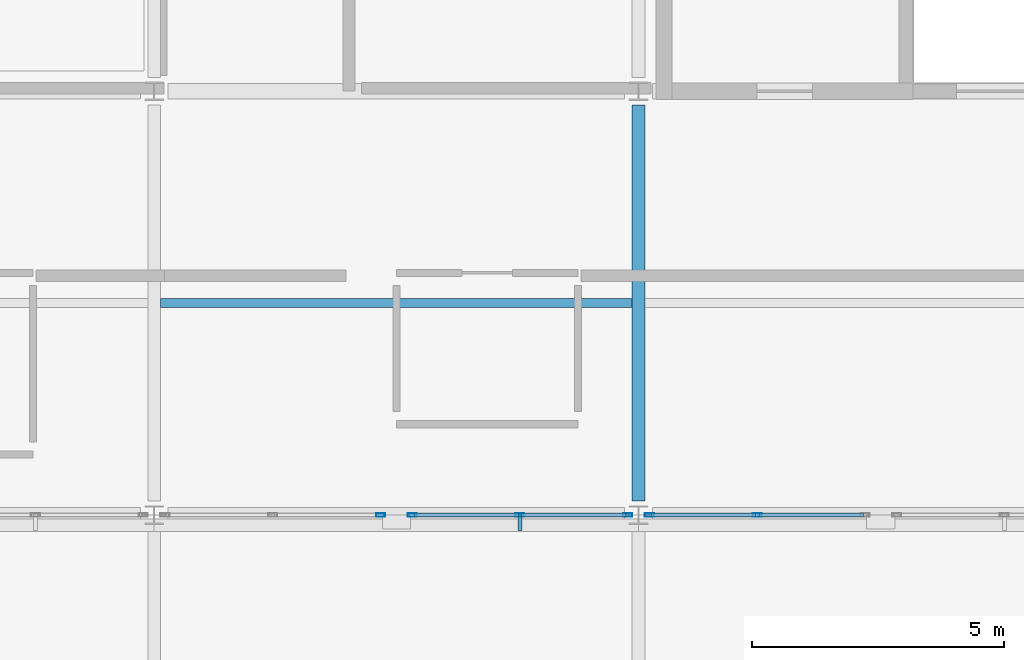
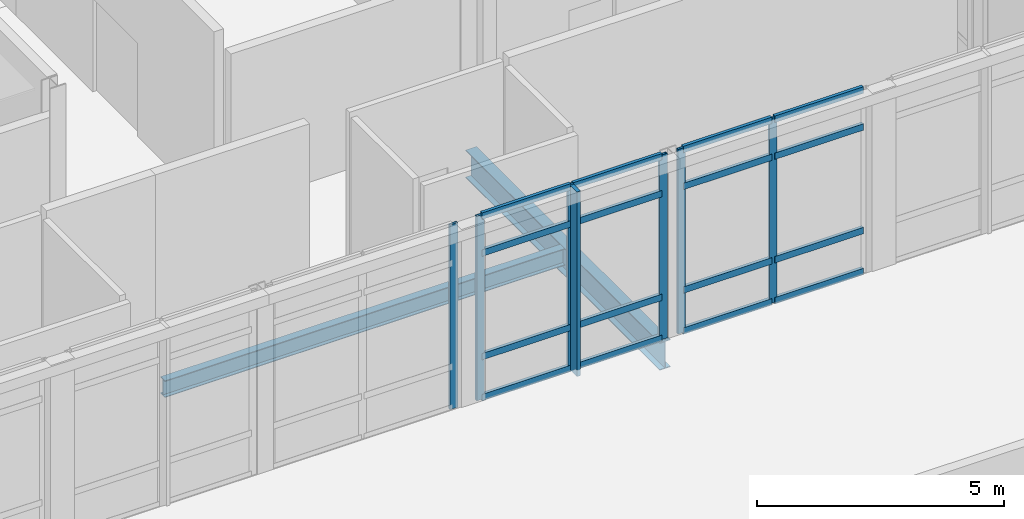
# One storey, part 21 of 52: 23 members, 2 beams, 3 elements without a shape of their own.
"""IFC4 building model written with IfcOpenShell, lengths in metres."""

import ifcopenshell
import ifcopenshell.guid

model = None  # the IFC model being written
_history = None  # IfcOwnerHistory: only IFC2X3 demands one
_inside = {}  # id of a spatial element -> (the spatial element, [elements in it])
_under = {}  # id of a project, library or spatial element -> (it, [spatial elements below it])
_declared = {}  # id of a project -> (the project, [libraries it declares])
_typed = {}  # id of a type object -> (the type object, [elements of that type])
_made_of = {}  # id of a material, layer set ... -> (it, [elements and type objects made of it])


def new_model(schema):
    """Start an empty IFC model of exactly this schema.

    Asked for "IFC4X3", IfcOpenShell would pick the latest addendum, in which some entities
    have other attributes; the version numbers below select the first issue.
    IFC2X3 requires an IfcOwnerHistory on every rooted entity: one is made here for all.
    """
    global model, _history
    if schema == "IFC4X3":
        model = ifcopenshell.file(schema_version=(4, 3, 0, 0))
    else:
        model = ifcopenshell.file(schema=schema)
    _inside.clear()
    _under.clear()
    _declared.clear()
    _typed.clear()
    _made_of.clear()
    _history = None
    if model.schema == "IFC2X3":
        org = make("IfcOrganization", Name="unknown")
        user = make(
            "IfcPersonAndOrganization",
            ThePerson=make("IfcPerson", FamilyName="unknown"),
            TheOrganization=org,
        )
        app = make(
            "IfcApplication",
            ApplicationDeveloper=org,
            Version="unknown",
            ApplicationFullName="unknown",
            ApplicationIdentifier="unknown",
        )
        _history = make(
            "IfcOwnerHistory",
            OwningUser=user,
            OwningApplication=app,
            ChangeAction="ADDED",
            CreationDate=0,
        )
    return model


def make(cls, **values):
    """One entity of the class cls with the attributes given. An attribute that is None is left unset."""
    return model.create_entity(
        cls, **{name: value for name, value in values.items() if value is not None}
    )


def rooted(cls, **values):
    """An entity with a GlobalId (a new one), such as an element, a storey or a relation."""
    return make(cls, GlobalId=ifcopenshell.guid.new(), OwnerHistory=_history, **values)


def si_unit(unit_type, name, prefix=None):
    """IfcSIUnit, for example si_unit("LENGTHUNIT", "METRE", prefix="MILLI")."""
    return make("IfcSIUnit", UnitType=unit_type, Prefix=prefix, Name=name)


def assignment(units):
    """IfcUnitAssignment: the units of a project."""
    return None if units is None else make("IfcUnitAssignment", Units=units)


def point(xyz):
    """IfcCartesianPoint."""
    return None if xyz is None else make("IfcCartesianPoint", Coordinates=xyz)


def direction(xyz):
    """IfcDirection."""
    return None if xyz is None else make("IfcDirection", DirectionRatios=xyz)


def frame(location, z_axis=None, x_axis=None):
    """IfcAxis2Placement3D, a coordinate frame: its origin and axes. An axis left out is left unset."""
    return make(
        "IfcAxis2Placement3D",
        Location=point(location),
        Axis=direction(z_axis),
        RefDirection=direction(x_axis),
    )


def frame_2d(location, x_axis=None):
    """IfcAxis2Placement2D, a coordinate frame in the plane: its origin and x axis."""
    return make(
        "IfcAxis2Placement2D", Location=point(location), RefDirection=direction(x_axis)
    )


def origin():
    """The frame at (0, 0, 0) with its axes left unset."""
    return frame((0.0, 0.0, 0.0))


def origin_2d():
    """The frame at (0, 0) in the plane with its x axis left unset."""
    return frame_2d((0.0, 0.0))


def place(relative_to, where):
    """IfcLocalPlacement: puts the frame where relative to a parent placement (None: the world)."""
    return make(
        "IfcLocalPlacement", PlacementRelTo=relative_to, RelativePlacement=where
    )


def context(
    kind, dimensions, precision=None, world=None, true_north=None, identifier=None
):
    """IfcGeometricRepresentationContext, for example the 3D "Model" context."""
    return make(
        "IfcGeometricRepresentationContext",
        ContextIdentifier=identifier,
        ContextType=kind,
        CoordinateSpaceDimension=dimensions,
        Precision=precision,
        WorldCoordinateSystem=world,
        TrueNorth=true_north,
    )


def subcontext(parent, identifier, kind, view, scale=None):
    """IfcGeometricRepresentationSubContext, for example "Body" below "Model"."""
    return make(
        "IfcGeometricRepresentationSubContext",
        ContextIdentifier=identifier,
        ContextType=kind,
        ParentContext=parent,
        TargetScale=scale,
        TargetView=view,
    )


def project(units=None, contexts=None):
    """IfcProject with its units and contexts."""
    return rooted(
        "IfcProject",
        Name="project",
        RepresentationContexts=contexts,
        UnitsInContext=assignment(units),
    )


def spatial(cls, under=None, at=None, **own):
    """A site, building, storey or space (cls), placed at a placement, below another one or the project."""
    s = rooted(cls, ObjectPlacement=at, **own)
    if under is not None:
        _under.setdefault(under.id(), (under, []))[1].append(s)
    return s


def profile(cls, at=None, kind="AREA", **sizes):
    """A parametric profile (cls). Its sizes go by their IFC names, for example OverallWidth=200.0."""
    return make(cls, ProfileType=kind, Position=at, **sizes)


def rectangle(**sizes):
    """IfcRectangleProfileDef."""
    return profile("IfcRectangleProfileDef", **sizes)


def hollow_rectangle(**sizes):
    """IfcRectangleHollowProfileDef."""
    return profile("IfcRectangleHollowProfileDef", **sizes)


def i_section(**sizes):
    """IfcIShapeProfileDef."""
    return profile("IfcIShapeProfileDef", **sizes)


def extrude(swept, where, along, depth):
    """IfcExtrudedAreaSolid: the profile swept, set in the frame where, extruded along a direction by depth."""
    return make(
        "IfcExtrudedAreaSolid",
        SweptArea=swept,
        Position=where,
        ExtrudedDirection=direction(along),
        Depth=depth,
    )


def shape(context_of_items, identifier, shape_type, items):
    """IfcShapeRepresentation: the items that make up one representation, for example the "Body"."""
    return make(
        "IfcShapeRepresentation",
        ContextOfItems=context_of_items,
        RepresentationIdentifier=identifier,
        RepresentationType=shape_type,
        Items=items,
    )


def material(Name=None, Category=None):
    """IfcMaterial."""
    return make("IfcMaterial", Name=Name, Category=Category)


def layer(
    of_material, thickness, ventilated=None, Name=None, Category=None, Priority=None
):
    """IfcMaterialLayer: one layer of a wall or slab, of a material (None: an air gap)."""
    return make(
        "IfcMaterialLayer",
        Material=of_material,
        LayerThickness=thickness,
        IsVentilated=ventilated,
        Name=Name,
        Category=Category,
        Priority=Priority,
    )


def layer_set(layers, Name=None):
    """IfcMaterialLayerSet."""
    return make("IfcMaterialLayerSet", MaterialLayers=layers, LayerSetName=Name)


def material_profile(
    of_material, cross_section, Name=None, Category=None, Priority=None
):
    """IfcMaterialProfile: a cross section and its material."""
    return make(
        "IfcMaterialProfile",
        Name=Name,
        Material=of_material,
        Profile=cross_section,
        Priority=Priority,
        Category=Category,
    )


def profile_set(profiles, Name=None, composite=None):
    """IfcMaterialProfileSet."""
    return make(
        "IfcMaterialProfileSet",
        Name=Name,
        MaterialProfiles=profiles,
        CompositeProfile=composite,
    )


def made_of(thing, what):
    """Note that an element or type object is made of a material, layer set ...; save() writes the relation."""
    if what is not None:
        _made_of.setdefault(what.id(), (what, []))[1].append(thing)
    return thing


def type_object(cls, material=None, **own):
    """A type object (cls), such as IfcWallType, which elements share."""
    return made_of(rooted(cls, **own), material)


def element(
    cls,
    number,
    at=None,
    inside=None,
    cuts=None,
    type_object=None,
    material=None,
    context=None,
    identifier="Body",
    shape_type=None,
    held_by="IfcProductDefinitionShape",
    body=None,
    shapes=None,
    **own,
):
    """One element of the class cls, such as IfcWall. Its Tag is "e" and its number.

    at: its placement. inside: the storey or other place that contains it. cuts: it is an
    opening in that element (IfcRelVoidsElement). A single representation is given by context,
    identifier, shape_type and body (its items); several are given by shapes. held_by: the class
    of the entity that holds the representations. save() writes the other relations.
    """
    e = rooted(cls, Tag="e%d" % number, ObjectPlacement=at, **own)
    if body is not None:
        shapes = [shape(context, identifier, shape_type, body)]
    if shapes is not None:
        e.Representation = make(held_by, Representations=shapes)
    if inside is not None:
        _inside.setdefault(inside.id(), (inside, []))[1].append(e)
    if cuts is not None:
        rooted(
            "IfcRelVoidsElement", RelatingBuildingElement=cuts, RelatedOpeningElement=e
        )
    if type_object is not None:
        _typed.setdefault(type_object.id(), (type_object, []))[1].append(e)
    return made_of(e, material)


def aggregate(whole, parts):
    """IfcRelAggregates: a whole, such as a stair, and the parts it consists of."""
    return rooted("IfcRelAggregates", RelatingObject=whole, RelatedObjects=parts)


def save(model, path):
    """Write the relations noted so far, then the file.

    IfcRelAggregates (storeys below a building ...), IfcRelContainedInSpatialStructure (elements
    in a storey), IfcRelDefinesByType, IfcRelAssociatesMaterial and IfcRelDeclares: one each for
    every whole, place, type object, material and project.
    """
    for whole, parts in _under.values():
        aggregate(whole, parts)
    for where, things in _inside.values():
        rooted(
            "IfcRelContainedInSpatialStructure",
            RelatedElements=things,
            RelatingStructure=where,
        )
    for kind, things in _typed.values():
        rooted("IfcRelDefinesByType", RelatedObjects=things, RelatingType=kind)
    for what, things in _made_of.values():
        rooted("IfcRelAssociatesMaterial", RelatedObjects=things, RelatingMaterial=what)
    for by, libraries in _declared.values():
        rooted("IfcRelDeclares", RelatingContext=by, RelatedDefinitions=libraries)
    model.write(path)


model = new_model("IFC4")

# Units and contexts
model_context = context("Model", 3, precision=1e-05, world=origin(), true_north=direction((0.0, 1.0)))
body_context = subcontext(model_context, "Body", "Model", "MODEL_VIEW")
ifc_project = project(units=[si_unit("LENGTHUNIT", "METRE"), si_unit("AREAUNIT", "SQUARE_METRE"), si_unit("VOLUMEUNIT", "CUBIC_METRE"), si_unit("PLANEANGLEUNIT", "RADIAN"), si_unit("MASSUNIT", "GRAM", prefix="KILO")], contexts=[model_context])

# Site, building, storey
site_placement = place(None, origin())
site = spatial("IfcSite", under=ifc_project, at=site_placement, CompositionType="ELEMENT")
building_placement = place(site_placement, origin())
building = spatial("IfcBuilding", under=site, at=building_placement, Name="Lornevale Opera House", CompositionType="ELEMENT")
storey_placement = place(building_placement, frame((0.0, 0.0, 15.0)))
storey = spatial("IfcBuildingStorey", under=building, at=storey_placement, Name="L04", CompositionType="ELEMENT", Elevation=15.0)

# Curtain wall, members
ifc_material_1 = material(Name="Anodized Oxide-Green Aluminium Framing", Category="aluminium")
ifc_layer = layer(ifc_material_1, 0.18505859375)
ifc_layer_set = layer_set([ifc_layer], Name="Anodized Oxide-Green Aluminium Framing")
curtain_wall_type = type_object("IfcCurtainWallType", Name="Conservatory Curtain Wall M2100", PredefinedType="NOTDEFINED", material=ifc_layer_set)
curtain_wall_1_placement = place(storey_placement, origin())
curtain_wall_1 = element("IfcCurtainWall", 1, at=curtain_wall_1_placement, inside=storey, type_object=curtain_wall_type, Name="Conservatory Curtain Wall M2100 CW-157", PredefinedType="NOTDEFINED")
ifc_material_profile_1 = material_profile(ifc_material_1, hollow_rectangle(XDim=0.06494140625, YDim=0.179931640625, WallThickness=0.0048828125, at=origin_2d()), Name="ALU65x180x5")
ifc_profile_set_1 = profile_set([ifc_material_profile_1], Name="Anodized Oxide-Green Aluminium Framing")
member_type_1 = type_object("IfcMemberType", Name="Curtain Wall Mullion 65x180", PredefinedType="MULLION", material=ifc_profile_set_1)
member_1_placement = place(storey_placement, frame((134.18505859375, 25.199951171875, 0.0), z_axis=(0.0, 0.0, 1.0), x_axis=(0.0, -1.0, 0.0)))
member_1 = element("IfcMember", 2, at=member_1_placement, type_object=member_type_1, Name="Curtain Wall Mullion 65x180 CW3221", PredefinedType="MULLION", context=body_context, shape_type="SweptSolid", body=[
    extrude(hollow_rectangle(XDim=0.06494140625, YDim=0.179931640625, WallThickness=0.0048828125, at=origin_2d()), origin(), (0.0, 0.0, 1.0), 4.56005859375),
])
member_2_placement = place(storey_placement, frame((132.048583984375, 25.199951171875, 0.0), z_axis=(0.0, 0.0, 1.0), x_axis=(0.0, -1.0, 0.0)))
member_2 = element("IfcMember", 3, at=member_2_placement, type_object=member_type_1, Name="Curtain Wall Mullion 65x180 CW3222", PredefinedType="MULLION", context=body_context, shape_type="SweptSolid", body=[
    extrude(hollow_rectangle(XDim=0.06494140625, YDim=0.179931640625, WallThickness=0.0048828125, at=origin_2d()), origin(), (0.0, 0.0, 1.0), 4.56005859375),
])
member_3_placement = place(storey_placement, frame((129.91259765625, 25.199951171875, 0.0), z_axis=(0.0, 0.0, 1.0), x_axis=(0.0, -1.0, 0.0)))
member_3 = element("IfcMember", 4, at=member_3_placement, type_object=member_type_1, Name="Curtain Wall Mullion 65x180 CW3223", PredefinedType="MULLION", context=body_context, shape_type="SweptSolid", body=[
    extrude(hollow_rectangle(XDim=0.06494140625, YDim=0.179931640625, WallThickness=0.0048828125, at=origin_2d()), origin(), (0.0, 0.0, 1.0), 4.56005859375),
])

# Curtain wall, member
curtain_wall_2_placement = place(storey_placement, origin())
curtain_wall_2 = element("IfcCurtainWall", 5, at=curtain_wall_2_placement, inside=storey, type_object=curtain_wall_type, Name="Conservatory Curtain Wall M2100 CW-158", PredefinedType="NOTDEFINED")
member_4_placement = place(storey_placement, frame((129.28759765625, 25.199951171875, 0.0), z_axis=(0.0, 0.0, 1.0), x_axis=(0.0, -1.0, 0.0)))
member_4 = element("IfcMember", 6, at=member_4_placement, type_object=member_type_1, Name="Curtain Wall Mullion 65x180 CW3238", PredefinedType="MULLION", context=body_context, shape_type="SweptSolid", body=[
    extrude(hollow_rectangle(XDim=0.06494140625, YDim=0.179931640625, WallThickness=0.0048828125, at=origin_2d()), origin(), (0.0, 0.0, 1.0), 4.56005859375),
])
aggregate(curtain_wall_2, [member_4])

# Curtain wall, members
curtain_wall_3_placement = place(storey_placement, origin())
curtain_wall_3 = element("IfcCurtainWall", 7, at=curtain_wall_3_placement, inside=storey, type_object=curtain_wall_type, Name="Conservatory Curtain Wall M2100 CW-162", PredefinedType="NOTDEFINED")
member_5_placement = place(storey_placement, frame((136.751220703125, 25.199951171875, 0.0), z_axis=(0.0, 0.0, 1.0), x_axis=(0.0, -1.0, 0.0)))
member_5 = element("IfcMember", 8, at=member_5_placement, type_object=member_type_1, Name="Curtain Wall Mullion 65x180 CW3307", PredefinedType="MULLION", context=body_context, shape_type="SweptSolid", body=[
    extrude(hollow_rectangle(XDim=0.06494140625, YDim=0.179931640625, WallThickness=0.0048828125, at=origin_2d()), origin(), (0.0, 0.0, 1.0), 4.56005859375),
])
member_6_placement = place(storey_placement, frame((134.614990234375, 25.199951171875, 0.0), z_axis=(0.0, 0.0, 1.0), x_axis=(0.0, -1.0, 0.0)))
member_6 = element("IfcMember", 9, at=member_6_placement, type_object=member_type_1, Name="Curtain Wall Mullion 65x180 CW3308", PredefinedType="MULLION", context=body_context, shape_type="SweptSolid", body=[
    extrude(hollow_rectangle(XDim=0.06494140625, YDim=0.179931640625, WallThickness=0.0048828125, at=origin_2d()), origin(), (0.0, 0.0, 1.0), 4.56005859375),
])

# Member
ifc_material_profile_2 = material_profile(ifc_material_1, hollow_rectangle(XDim=0.074951171875, YDim=0.159912109375, WallThickness=0.0048828125, at=origin_2d()), Name="ALU75x160x5")
ifc_profile_set_2 = profile_set([ifc_material_profile_2], Name="Anodized Oxide-Green Aluminium Framing")
member_type_2 = type_object("IfcMemberType", Name="Curtain Wall Transom 75x160", PredefinedType="USERDEFINED", material=ifc_profile_set_2)
member_7_placement = place(storey_placement, frame((134.152587890625, 25.199951171875, 0.03759765625), z_axis=(-1.0, 0.0, 0.0), x_axis=(0.0, -1.0, 0.0)))
member_7 = element("IfcMember", 10, at=member_7_placement, type_object=member_type_2, Name="Curtain Wall Transom 75x160 CW3224", ObjectType="TRANSOM", PredefinedType="USERDEFINED", context=body_context, shape_type="SweptSolid", body=[
    extrude(hollow_rectangle(XDim=0.074951171875, YDim=0.159912109375, WallThickness=0.0048828125, at=origin_2d()), origin(), (0.0, 0.0, 1.0), 2.0712890625),
])

member_8_placement = place(storey_placement, frame((134.152587890625, 25.199951171875, 1.050048828125), z_axis=(-1.0, 0.0, 0.0), x_axis=(0.0, -1.0, 0.0)))
member_8 = element("IfcMember", 11, at=member_8_placement, type_object=member_type_2, Name="Curtain Wall Transom 75x160 CW3225", ObjectType="TRANSOM", PredefinedType="USERDEFINED", context=body_context, shape_type="SweptSolid", body=[
    extrude(hollow_rectangle(XDim=0.074951171875, YDim=0.159912109375, WallThickness=0.0048828125, at=origin_2d()), origin(), (0.0, 0.0, 1.0), 2.0712890625),
])

member_9_placement = place(storey_placement, frame((134.152587890625, 25.199951171875, 3.610107421875), z_axis=(-1.0, 0.0, 0.0), x_axis=(0.0, -1.0, 0.0)))
member_9 = element("IfcMember", 12, at=member_9_placement, type_object=member_type_2, Name="Curtain Wall Transom 75x160 CW3226", ObjectType="TRANSOM", PredefinedType="USERDEFINED", context=body_context, shape_type="SweptSolid", body=[
    extrude(hollow_rectangle(XDim=0.074951171875, YDim=0.159912109375, WallThickness=0.0048828125, at=origin_2d()), origin(), (0.0, 0.0, 1.0), 2.0712890625),
])

member_10_placement = place(storey_placement, frame((134.152587890625, 25.199951171875, 4.5224609375), z_axis=(-1.0, 0.0, 0.0), x_axis=(0.0, -1.0, 0.0)))
member_10 = element("IfcMember", 13, at=member_10_placement, type_object=member_type_2, Name="Curtain Wall Transom 75x160 CW3227", ObjectType="TRANSOM", PredefinedType="USERDEFINED", context=body_context, shape_type="SweptSolid", body=[
    extrude(hollow_rectangle(XDim=0.074951171875, YDim=0.159912109375, WallThickness=0.0048828125, at=origin_2d()), origin(), (0.0, 0.0, 1.0), 2.0712890625),
])

member_11_placement = place(storey_placement, frame((132.01611328125, 25.199951171875, 0.03759765625), z_axis=(-1.0, 0.0, 0.0), x_axis=(0.0, -1.0, 0.0)))
member_11 = element("IfcMember", 14, at=member_11_placement, type_object=member_type_2, Name="Curtain Wall Transom 75x160 CW3231", ObjectType="TRANSOM", PredefinedType="USERDEFINED", context=body_context, shape_type="SweptSolid", body=[
    extrude(hollow_rectangle(XDim=0.074951171875, YDim=0.159912109375, WallThickness=0.0048828125, at=origin_2d()), origin(), (0.0, 0.0, 1.0), 2.071044921875),
])

member_12_placement = place(storey_placement, frame((132.01611328125, 25.199951171875, 1.050048828125), z_axis=(-1.0, 0.0, 0.0), x_axis=(0.0, -1.0, 0.0)))
member_12 = element("IfcMember", 15, at=member_12_placement, type_object=member_type_2, Name="Curtain Wall Transom 75x160 CW3232", ObjectType="TRANSOM", PredefinedType="USERDEFINED", context=body_context, shape_type="SweptSolid", body=[
    extrude(hollow_rectangle(XDim=0.074951171875, YDim=0.159912109375, WallThickness=0.0048828125, at=origin_2d()), origin(), (0.0, 0.0, 1.0), 2.071044921875),
])

member_13_placement = place(storey_placement, frame((132.01611328125, 25.199951171875, 3.610107421875), z_axis=(-1.0, 0.0, 0.0), x_axis=(0.0, -1.0, 0.0)))
member_13 = element("IfcMember", 16, at=member_13_placement, type_object=member_type_2, Name="Curtain Wall Transom 75x160 CW3233", ObjectType="TRANSOM", PredefinedType="USERDEFINED", context=body_context, shape_type="SweptSolid", body=[
    extrude(hollow_rectangle(XDim=0.074951171875, YDim=0.159912109375, WallThickness=0.0048828125, at=origin_2d()), origin(), (0.0, 0.0, 1.0), 2.071044921875),
])

member_14_placement = place(storey_placement, frame((132.01611328125, 25.199951171875, 4.5224609375), z_axis=(-1.0, 0.0, 0.0), x_axis=(0.0, -1.0, 0.0)))
member_14 = element("IfcMember", 17, at=member_14_placement, type_object=member_type_2, Name="Curtain Wall Transom 75x160 CW3234", ObjectType="TRANSOM", PredefinedType="USERDEFINED", context=body_context, shape_type="SweptSolid", body=[
    extrude(hollow_rectangle(XDim=0.074951171875, YDim=0.159912109375, WallThickness=0.0048828125, at=origin_2d()), origin(), (0.0, 0.0, 1.0), 2.071044921875),
])

member_15_placement = place(storey_placement, frame((138.85498046875, 25.199951171875, 0.03759765625), z_axis=(-1.0, 0.0, 0.0), x_axis=(0.0, -1.0, 0.0)))
member_15 = element("IfcMember", 18, at=member_15_placement, type_object=member_type_2, Name="Curtain Wall Transom 75x160 CW3309", ObjectType="TRANSOM", PredefinedType="USERDEFINED", context=body_context, shape_type="SweptSolid", body=[
    extrude(hollow_rectangle(XDim=0.074951171875, YDim=0.159912109375, WallThickness=0.0048828125, at=origin_2d()), origin(), (0.0, 0.0, 1.0), 2.0712890625),
])

member_16_placement = place(storey_placement, frame((138.85498046875, 25.199951171875, 1.050048828125), z_axis=(-1.0, 0.0, 0.0), x_axis=(0.0, -1.0, 0.0)))
member_16 = element("IfcMember", 19, at=member_16_placement, type_object=member_type_2, Name="Curtain Wall Transom 75x160 CW3310", ObjectType="TRANSOM", PredefinedType="USERDEFINED", context=body_context, shape_type="SweptSolid", body=[
    extrude(hollow_rectangle(XDim=0.074951171875, YDim=0.159912109375, WallThickness=0.0048828125, at=origin_2d()), origin(), (0.0, 0.0, 1.0), 2.0712890625),
])

member_17_placement = place(storey_placement, frame((138.85498046875, 25.199951171875, 3.610107421875), z_axis=(-1.0, 0.0, 0.0), x_axis=(0.0, -1.0, 0.0)))
member_17 = element("IfcMember", 20, at=member_17_placement, type_object=member_type_2, Name="Curtain Wall Transom 75x160 CW3311", ObjectType="TRANSOM", PredefinedType="USERDEFINED", context=body_context, shape_type="SweptSolid", body=[
    extrude(hollow_rectangle(XDim=0.074951171875, YDim=0.159912109375, WallThickness=0.0048828125, at=origin_2d()), origin(), (0.0, 0.0, 1.0), 2.0712890625),
])

member_18_placement = place(storey_placement, frame((138.85498046875, 25.199951171875, 4.5224609375), z_axis=(-1.0, 0.0, 0.0), x_axis=(0.0, -1.0, 0.0)))
member_18 = element("IfcMember", 21, at=member_18_placement, type_object=member_type_2, Name="Curtain Wall Transom 75x160 CW3312", ObjectType="TRANSOM", PredefinedType="USERDEFINED", context=body_context, shape_type="SweptSolid", body=[
    extrude(hollow_rectangle(XDim=0.074951171875, YDim=0.159912109375, WallThickness=0.0048828125, at=origin_2d()), origin(), (0.0, 0.0, 1.0), 2.0712890625),
])

member_19_placement = place(storey_placement, frame((136.71875, 25.199951171875, 0.03759765625), z_axis=(-1.0, 0.0, 0.0), x_axis=(0.0, -1.0, 0.0)))
member_19 = element("IfcMember", 22, at=member_19_placement, type_object=member_type_2, Name="Curtain Wall Transom 75x160 CW3316", ObjectType="TRANSOM", PredefinedType="USERDEFINED", context=body_context, shape_type="SweptSolid", body=[
    extrude(hollow_rectangle(XDim=0.074951171875, YDim=0.159912109375, WallThickness=0.0048828125, at=origin_2d()), origin(), (0.0, 0.0, 1.0), 2.0712890625),
])

member_20_placement = place(storey_placement, frame((136.71875, 25.199951171875, 1.050048828125), z_axis=(-1.0, 0.0, 0.0), x_axis=(0.0, -1.0, 0.0)))
member_20 = element("IfcMember", 23, at=member_20_placement, type_object=member_type_2, Name="Curtain Wall Transom 75x160 CW3317", ObjectType="TRANSOM", PredefinedType="USERDEFINED", context=body_context, shape_type="SweptSolid", body=[
    extrude(hollow_rectangle(XDim=0.074951171875, YDim=0.159912109375, WallThickness=0.0048828125, at=origin_2d()), origin(), (0.0, 0.0, 1.0), 2.0712890625),
])

member_21_placement = place(storey_placement, frame((136.71875, 25.199951171875, 3.610107421875), z_axis=(-1.0, 0.0, 0.0), x_axis=(0.0, -1.0, 0.0)))
member_21 = element("IfcMember", 24, at=member_21_placement, type_object=member_type_2, Name="Curtain Wall Transom 75x160 CW3318", ObjectType="TRANSOM", PredefinedType="USERDEFINED", context=body_context, shape_type="SweptSolid", body=[
    extrude(hollow_rectangle(XDim=0.074951171875, YDim=0.159912109375, WallThickness=0.0048828125, at=origin_2d()), origin(), (0.0, 0.0, 1.0), 2.0712890625),
])

member_22_placement = place(storey_placement, frame((136.71875, 25.199951171875, 4.5224609375), z_axis=(-1.0, 0.0, 0.0), x_axis=(0.0, -1.0, 0.0)))
member_22 = element("IfcMember", 25, at=member_22_placement, type_object=member_type_2, Name="Curtain Wall Transom 75x160 CW3319", ObjectType="TRANSOM", PredefinedType="USERDEFINED", context=body_context, shape_type="SweptSolid", body=[
    extrude(hollow_rectangle(XDim=0.074951171875, YDim=0.159912109375, WallThickness=0.0048828125, at=origin_2d()), origin(), (0.0, 0.0, 1.0), 2.0712890625),
])

aggregate(curtain_wall_3, [member_5, member_6, member_15, member_16, member_17, member_18, member_19, member_20, member_21, member_22])

ifc_material_2 = material(Name="Architectural Bronze Solar Louvre Alloy", Category="metal")
ifc_material_profile_3 = material_profile(ifc_material_2, rectangle(XDim=0.080078125, YDim=0.360107421875, at=origin_2d()), Name="FIN80x360")
ifc_profile_set_3 = profile_set([ifc_material_profile_3], Name="Architectural Bronze Solar Louvre Alloy")
member_type_3 = type_object("IfcMemberType", Name="Solar Shading Fin 80x360", PredefinedType="USERDEFINED", material=ifc_profile_set_3)
member_23_placement = place(storey_placement, frame((132.048583984375, 25.073974609375, 0.0), z_axis=(0.0, 0.0, 1.0), x_axis=(-1.0, 0.0, 0.0)))
member_23 = element("IfcMember", 26, at=member_23_placement, type_object=member_type_3, Name="Solar Shading Fin 80x360 FIN0065", ObjectType="SOLAR FIN", PredefinedType="USERDEFINED", context=body_context, shape_type="SweptSolid", body=[
    extrude(rectangle(XDim=0.080078125, YDim=0.360107421875, at=origin_2d()), origin(), (0.0, 0.0, 1.0), 4.56005859375),
])

aggregate(curtain_wall_1, [member_1, member_2, member_3, member_7, member_8, member_9, member_10, member_11, member_12, member_13, member_14, member_23])

# Beams
ifc_material_3 = material(Name="Structural Steel CSA G40.21 Grade 350W (350 MPa)", Category="steel")
ifc_material_profile_4 = material_profile(ifc_material_3, i_section(OverallWidth=0.179931640625, OverallDepth=0.4130859375, WebThickness=0.009765625, FlangeThickness=0.01611328125, at=origin_2d()), Name="W410x74")
ifc_profile_set_4 = profile_set([ifc_material_profile_4], Name="Structural Steel CSA G40.21 Grade 350W (350 MPa)")
beam_type_1 = type_object("IfcBeamType", Name="Steel Floor Joist W410x74", PredefinedType="JOIST", material=ifc_profile_set_4)
beam_1_placement = place(storey_placement, frame((124.927001953125, 29.39990234375, -0.511474609375), z_axis=(1.0, 0.0, 0.0), x_axis=(0.0, 1.0, 0.0)))
element("IfcBeam", 27, at=beam_1_placement, inside=storey, type_object=beam_type_1, Name="Steel Floor Joist W410x74 2701", PredefinedType="JOIST", context=body_context, shape_type="SweptSolid", body=[
    extrude(i_section(OverallWidth=0.179931640625, OverallDepth=0.4130859375, WebThickness=0.009765625, FlangeThickness=0.01611328125, at=origin_2d()), origin(), (0.0, 0.0, 1.0), 9.345947265625),
])
ifc_material_profile_5 = material_profile(ifc_material_3, i_section(OverallWidth=0.25390625, OverallDepth=0.68798828125, WebThickness=0.01318359375, FlangeThickness=0.02099609375, at=origin_2d()), Name="W690x152")
ifc_profile_set_5 = profile_set([ifc_material_profile_5], Name="Structural Steel CSA G40.21 Grade 350W (350 MPa)")
beam_type_2 = type_object("IfcBeamType", Name="Steel Foyer Beam W690x152", PredefinedType="USERDEFINED", material=ifc_profile_set_5)
beam_2_placement = place(storey_placement, frame((134.39990234375, 25.47509765625, -0.64892578125), z_axis=(0.0, 1.0, 0.0), x_axis=(-1.0, 0.0, 0.0)))
element("IfcBeam", 28, at=beam_2_placement, inside=storey, type_object=beam_type_2, Name="Steel Foyer Beam W690x152 2640", ObjectType="GIRDER", PredefinedType="USERDEFINED", context=body_context, shape_type="SweptSolid", body=[
    extrude(i_section(OverallWidth=0.25390625, OverallDepth=0.68798828125, WebThickness=0.01318359375, FlangeThickness=0.02099609375, at=origin_2d()), origin(), (0.0, 0.0, 1.0), 7.849853515625),
])

save(model, "model.ifc")
